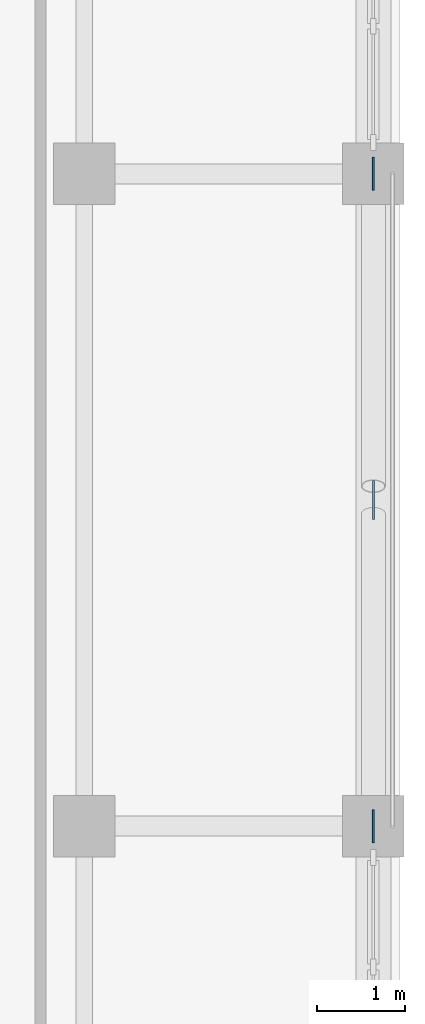
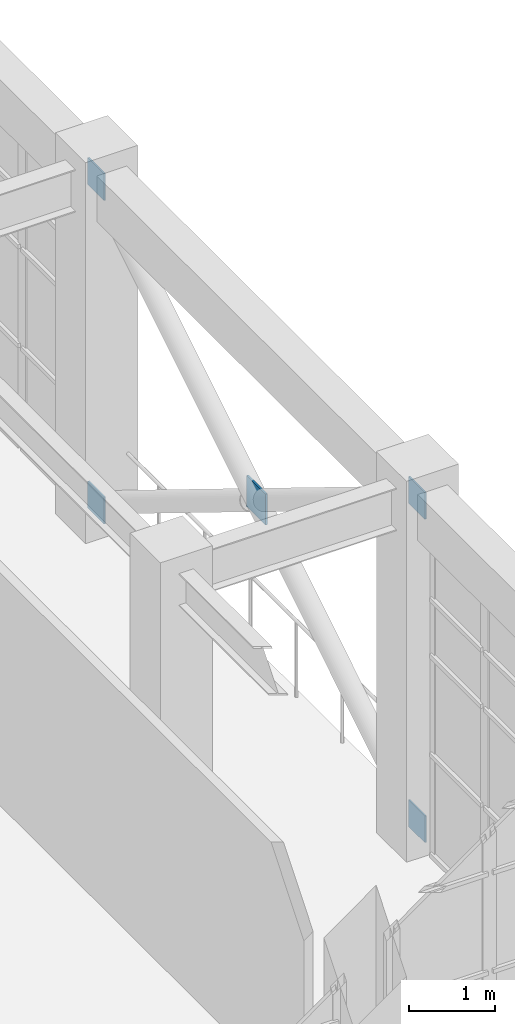
# One storey, part 86 of 103: 5 plates.
"""IFC4 building model written with IfcOpenShell, lengths in metres."""

from ifc_helpers import new_model, si_unit, direction, frame, origin, origin_2d, place, context, subcontext, project, spatial, rectangle, extrude, material, layer, layer_set, type_object, element, save


model = new_model("IFC4")

# Units and contexts
model_context = context("Model", 3, precision=1e-05, world=origin(), true_north=direction((0.0, 1.0)))
body_context = subcontext(model_context, "Body", "Model", "MODEL_VIEW")
ifc_project = project(units=[si_unit("LENGTHUNIT", "METRE"), si_unit("AREAUNIT", "SQUARE_METRE"), si_unit("VOLUMEUNIT", "CUBIC_METRE"), si_unit("PLANEANGLEUNIT", "RADIAN"), si_unit("MASSUNIT", "GRAM", prefix="KILO")], contexts=[model_context])

# Site, building, storey
site_placement = place(None, origin())
site = spatial("IfcSite", under=ifc_project, at=site_placement, CompositionType="ELEMENT")
building_placement = place(site_placement, origin())
building = spatial("IfcBuilding", under=site, at=building_placement, Name="Candilejo Ridge Gondola Terminal", CompositionType="ELEMENT")
storey_placement = place(building_placement, frame((0.0, 0.0, 9.0)))
storey = spatial("IfcBuildingStorey", under=building, at=storey_placement, Name="L02", CompositionType="ELEMENT", Elevation=9.0)

# Plates
ifc_material_1 = material(Name="Steel ASTM A572 Grade 50", Category="steel")
ifc_layer_1 = layer(ifc_material_1, 0.02001953125)
ifc_layer_set_1 = layer_set([ifc_layer_1], Name="STR-NODE-PLATE-380X380X20")
plate_type_1 = type_object("IfcPlateType", Name="STR-NODE-PLATE-380X380X20", PredefinedType="USERDEFINED", material=ifc_layer_set_1)
for number, where, z_axis, x_axis, name in (
    (1, (175.300048828125, 10.800048828125, 0.06005859375), (0.0, 0.0, 1.0), (1.0, 0.0, 0.0), "X-brace corner gusset plate 232"),
    (2, (175.300048828125, 18.25, 0.06005859375), (0.0, 0.0, 1.0), (1.0, 0.0, 0.0), "X-brace corner gusset plate 233"),
    (3, (175.300048828125, 10.800048828125, 4.64501953125), (0.0, 0.0, 1.0), (1.0, 0.0, 0.0), "X-brace corner gusset plate 234"),
    (4, (175.300048828125, 18.25, 4.64501953125), (0.0, 0.0, 1.0), (1.0, 0.0, 0.0), "X-brace corner gusset plate 235"),
):
    element("IfcPlate", number, at=place(storey_placement, frame(where, z_axis=z_axis, x_axis=x_axis)), inside=storey, type_object=plate_type_1, Name=name, ObjectType="NODE PLATE", PredefinedType="USERDEFINED", context=body_context, shape_type="SweptSolid", body=[
        extrude(rectangle(XDim=0.02001953125, YDim=0.3798828125, at=origin_2d()), origin(), (0.0, 0.0, 1.0), 0.3798828125),
    ])
ifc_material_2 = material(Name="Steel ASTM A572 Grade 50", Category="steel")
ifc_layer_2 = layer(ifc_material_2, 0.02392578125)
ifc_layer_set_2 = layer_set([ifc_layer_2], Name="STR-NODE-PLATE-440X440X24")
plate_type_2 = type_object("IfcPlateType", Name="STR-NODE-PLATE-440X440X24", PredefinedType="USERDEFINED", material=ifc_layer_set_2)
plate_placement = place(storey_placement, frame((175.300048828125, 14.52490234375, 2.322509765625), z_axis=(0.0, 0.0, 1.0), x_axis=(1.0, 0.0, 0.0)))
element("IfcPlate", 5, at=plate_placement, inside=storey, type_object=plate_type_2, Name="X-brace central crossing gusset plate 231", ObjectType="NODE PLATE", PredefinedType="USERDEFINED", context=body_context, shape_type="SweptSolid", body=[
    extrude(rectangle(XDim=0.02392578125, YDim=0.43994140625, at=origin_2d()), origin(), (0.0, 0.0, 1.0), 0.43994140625),
])

save(model, "model.ifc")
